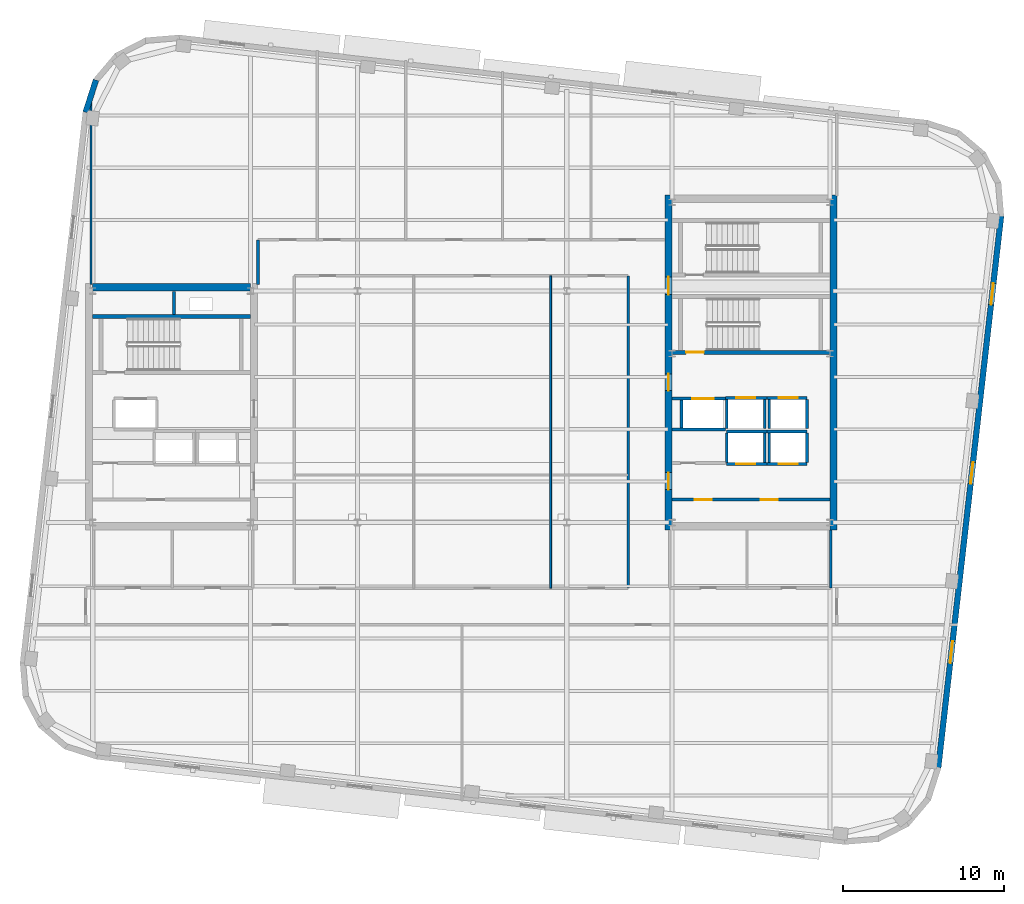
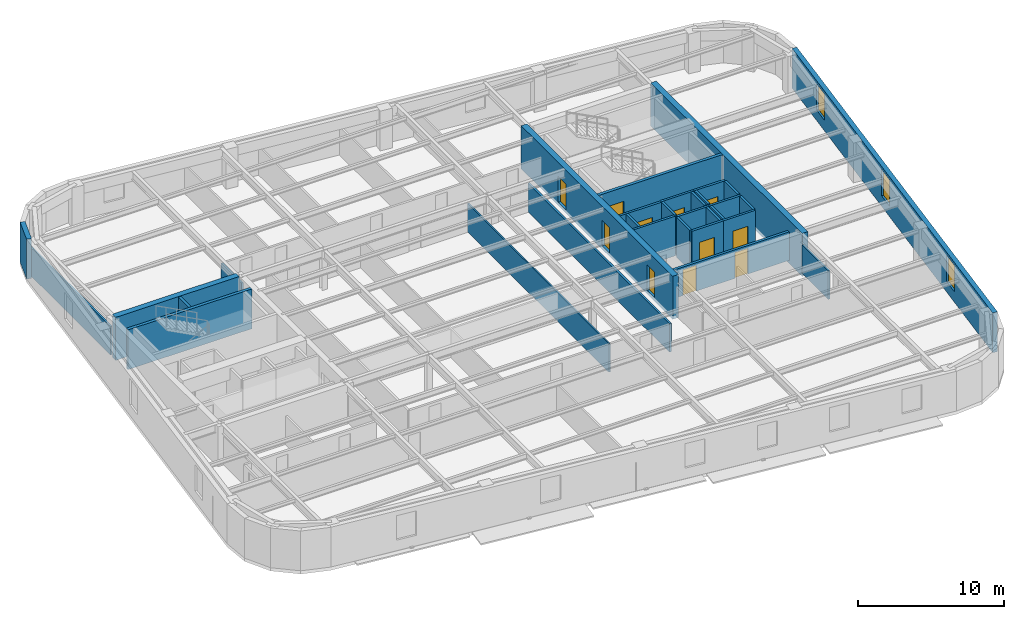
# One storey, part 7 of 13: 31 walls, 11 doors, 3 windows, 14 openings.
"""IFC4 building model written with IfcOpenShell, lengths in metres."""

from ifc_helpers import new_model, si_unit, direction, frame, frame_2d, origin, place, context, subcontext, project, spatial, rectangle, extrude, material, layer, layer_set, type_object, element, fill, save


model = new_model("IFC4")

# Units and contexts
model_context = context("Model", 3, precision=1e-05, world=origin(), true_north=direction((0.0, 1.0)))
body_context = subcontext(model_context, "Body", "Model", "MODEL_VIEW")
ifc_project = project(units=[si_unit("LENGTHUNIT", "METRE"), si_unit("AREAUNIT", "SQUARE_METRE"), si_unit("VOLUMEUNIT", "CUBIC_METRE"), si_unit("PLANEANGLEUNIT", "RADIAN"), si_unit("MASSUNIT", "GRAM", prefix="KILO")], contexts=[model_context])

# Site, building, storey
site_placement = place(None, origin())
site = spatial("IfcSite", under=ifc_project, at=site_placement, CompositionType="ELEMENT")
building_placement = place(site_placement, origin())
building = spatial("IfcBuilding", under=site, at=building_placement, Name="Kolvaren Arena Tower", CompositionType="ELEMENT")
storey_placement = place(building_placement, frame((0.0, 0.0, 265.949951171875)))
storey = spatial("IfcBuildingStorey", under=building, at=storey_placement, Name="L65", CompositionType="ELEMENT", Elevation=265.949951171875)

# Walls
ifc_material_1 = material(Name="Gypsum board acoustic assembly", Category="gypsum")
ifc_layer_1 = layer(ifc_material_1, 0.159912109375)
ifc_layer_set_1 = layer_set([ifc_layer_1], Name="Gypsum board acoustic assembly")
wall_type_1 = type_object("IfcWallType", Name="CORR-160", PredefinedType="PARTITIONING", material=ifc_layer_set_1)
wall_1_placement = place(storey_placement, frame((24.820068359375, 34.25, 0.0), z_axis=(0.0, 0.0, 1.0), x_axis=(0.0, 1.0, 0.0)))
element("IfcWall", 1, at=wall_1_placement, inside=storey, type_object=wall_type_1, Name="Interior Partition Wall (L65)", PredefinedType="PARTITIONING", context=body_context, shape_type="SweptSolid", body=[
    extrude(rectangle(XDim=2.77001953125, YDim=0.159912109375, at=frame_2d((1.385009765625, 0.0))), origin(), (0.0, 0.0, 1.0), 2.39013671875),
])
wall_2_placement = place(storey_placement, frame((47.820068359375, 15.3798828125, 0.0), z_axis=(0.0, 0.0, 1.0), x_axis=(0.0, 1.0, 0.0)))
element("IfcWall", 2, at=wall_2_placement, inside=storey, type_object=wall_type_1, Name="Interior Partition Wall (L65)", PredefinedType="PARTITIONING", context=body_context, shape_type="SweptSolid", body=[
    extrude(rectangle(XDim=19.400146484375, YDim=0.159912109375, at=frame_2d((9.7001953125, 0.0))), origin(), (0.0, 0.0, 1.0), 2.39013671875),
])
ifc_material_2 = material(Name="Concrete 55 MPa", Category="concrete")
ifc_layer_2 = layer(ifc_material_2, 0.449951171875)
ifc_layer_set_2 = layer_set([ifc_layer_2], Name="Concrete 55 MPa")
wall_type_2 = type_object("IfcWallType", Name="CWALL-450", PredefinedType="SHEAR", material=ifc_layer_set_2)
wall_3_placement = place(storey_placement, frame((14.550048828125, 34.074951171875, -0.27001953125), z_axis=(0.0, 0.0, 1.0), x_axis=(1.0, 0.0, 0.0)))
element("IfcWall", 3, at=wall_3_placement, inside=storey, type_object=wall_type_2, Name="Core Shear Wall WC-NORTH (L65)", PredefinedType="SHEAR", context=body_context, shape_type="SweptSolid", body=[
    extrude(rectangle(XDim=9.800048828125, YDim=0.449951171875, at=frame_2d((4.89990234375, 0.0))), origin(), (0.0, 0.0, 1.0), 3.60009765625),
])

# Wall, openings, doors
wall_4_placement = place(storey_placement, frame((50.324951171875, 19.0, -0.27001953125), z_axis=(0.0, 0.0, 1.0), x_axis=(0.0, 1.0, 0.0)))
wall_4 = element("IfcWall", 4, at=wall_4_placement, inside=storey, type_object=wall_type_2, Name="Core Shear Wall EC-WEST (L65)", PredefinedType="SHEAR", context=body_context, shape_type="SweptSolid", body=[
    extrude(rectangle(XDim=20.800048828125, YDim=0.449951171875, at=frame_2d((10.39990234375, 0.0))), origin(), (0.0, 0.0, 1.0), 3.60009765625),
])
opening_1_placement = place(wall_4_placement, frame((2.5, 0.0, 0.27001953125)))
opening_1 = element("IfcOpeningElement", 5, at=opening_1_placement, cuts=wall_4, Name="Opening D04", PredefinedType="OPENING", context=body_context, shape_type="SweptSolid", body=[
    extrude(rectangle(XDim=1.050048828125, YDim=2.14990234375, at=frame_2d((0.52490234375, 1.074951171875))), frame((0.0, 0.23486328125, 0.0), z_axis=(0.0, -1.0, 0.0), x_axis=(1.0, 0.0, 0.0)), (0.0, 0.0, 1.0), 0.469970703125),
])
opening_2_placement = place(wall_4_placement, frame((8.64990234375, 0.0, 0.27001953125)))
opening_2 = element("IfcOpeningElement", 6, at=opening_2_placement, cuts=wall_4, Name="Opening D04", PredefinedType="OPENING", context=body_context, shape_type="SweptSolid", body=[
    extrude(rectangle(XDim=1.050048828125, YDim=2.14990234375, at=frame_2d((0.52490234375, 1.074951171875))), frame((0.0, 0.23486328125, 0.0), z_axis=(0.0, -1.0, 0.0), x_axis=(1.0, 0.0, 0.0)), (0.0, 0.0, 1.0), 0.469970703125),
])
opening_3_placement = place(wall_4_placement, frame((14.6201171875, 0.0, 0.27001953125)))
opening_3 = element("IfcOpeningElement", 7, at=opening_3_placement, cuts=wall_4, Name="Opening D03", PredefinedType="OPENING", context=body_context, shape_type="SweptSolid", body=[
    extrude(rectangle(XDim=1.10009765625, YDim=2.14990234375, at=frame_2d((0.550048828125, 1.074951171875))), frame((0.0, 0.23486328125, 0.0), z_axis=(0.0, -1.0, 0.0), x_axis=(1.0, 0.0, 0.0)), (0.0, 0.0, 1.0), 0.469970703125),
])
ifc_material_3 = material(Name="Fire-rated steel lobby door", Category="steel")
door_type_1 = type_object("IfcDoorType", Name="DOOR-FF-105", OperationType="NOTDEFINED", PredefinedType="DOOR", material=ifc_material_3)
door_1_placement = place(opening_1_placement, origin())
door_1 = element("IfcDoor", 8, at=door_1_placement, inside=storey, type_object=door_type_1, Name="East Lift Lobby Fire Door (L65)", OperationType="SINGLE_SWING_RIGHT", OverallHeight=2.14990234375, OverallWidth=1.050048828125, PredefinedType="DOOR", context=body_context, shape_type="SweptSolid", body=[
    extrude(rectangle(XDim=1.050048828125, YDim=2.14990234375, at=frame_2d((0.52490234375, 1.074951171875))), frame((0.0, 0.02490234375, 0.0), z_axis=(0.0, -1.0, 0.0), x_axis=(1.0, 0.0, 0.0)), (0.0, 0.0, 1.0), 0.050048828125),
])
fill(opening_1, door_1)
door_2_placement = place(opening_2_placement, origin())
door_2 = element("IfcDoor", 9, at=door_2_placement, inside=storey, type_object=door_type_1, Name="East Firefighter Vestibule Door (L65)", OperationType="SINGLE_SWING_LEFT", OverallHeight=2.14990234375, OverallWidth=1.050048828125, PredefinedType="DOOR", context=body_context, shape_type="SweptSolid", body=[
    extrude(rectangle(XDim=1.050048828125, YDim=2.14990234375, at=frame_2d((0.52490234375, 1.074951171875))), frame((0.0, 0.02490234375, 0.0), z_axis=(0.0, -1.0, 0.0), x_axis=(1.0, 0.0, 0.0)), (0.0, 0.0, 1.0), 0.050048828125),
])
fill(opening_2, door_2)
ifc_material_4 = material(Name="Fire-rated steel exit stair door", Category="steel")
door_type_2 = type_object("IfcDoorType", Name="DOOR-ST-110", OperationType="NOTDEFINED", PredefinedType="DOOR", material=ifc_material_4)
door_3_placement = place(opening_3_placement, origin())
door_3 = element("IfcDoor", 10, at=door_3_placement, inside=storey, type_object=door_type_2, Name="Stair ST-E2 Vestibule Fire Door (L65)", OperationType="SINGLE_SWING_LEFT", OverallHeight=2.14990234375, OverallWidth=1.10009765625, PredefinedType="DOOR", context=body_context, shape_type="SweptSolid", body=[
    extrude(rectangle(XDim=1.10009765625, YDim=2.14990234375, at=frame_2d((0.550048828125, 1.074951171875))), frame((0.0, 0.02490234375, 0.0), z_axis=(0.0, -1.0, 0.0), x_axis=(1.0, 0.0, 0.0)), (0.0, 0.0, 1.0), 0.050048828125),
])
fill(opening_3, door_3)

# Wall
wall_5_placement = place(storey_placement, frame((60.574951171875, 19.0, -0.27001953125), z_axis=(0.0, 0.0, 1.0), x_axis=(0.0, 1.0, 0.0)))
element("IfcWall", 11, at=wall_5_placement, inside=storey, type_object=wall_type_2, Name="Core Shear Wall EC-EAST (L65)", PredefinedType="SHEAR", context=body_context, shape_type="SweptSolid", body=[
    extrude(rectangle(XDim=20.800048828125, YDim=0.449951171875, at=frame_2d((10.39990234375, 0.0))), origin(), (0.0, 0.0, 1.0), 3.60009765625),
])

# Wall, openings, windows
ifc_material_5 = material(Name="Precast concrete C50/60", Category="concrete")
ifc_layer_3 = layer(ifc_material_5, 0.360107421875)
ifc_layer_set_3 = layer_set([ifc_layer_3], Name="Precast concrete C50/60")
wall_type_3 = type_object("IfcWallType", Name="EXT-PIER2", PredefinedType="SOLIDWALL", material=ifc_layer_set_3)
wall_6_placement = place(storey_placement, frame((70.98876953125, 38.499267578125, 0.0), z_axis=(0.0, 0.0, 1.0), x_axis=(-0.113203107947, -0.993571867733, 0.0)))
wall_6 = element("IfcWall", 12, at=wall_6_placement, inside=storey, type_object=wall_type_3, Name="Exterior Precast Masonry-Frame Wall (L65)", PredefinedType="SOLIDWALL", context=body_context, shape_type="SweptSolid", body=[
    extrude(rectangle(XDim=34.5, YDim=0.360107421875, at=frame_2d((17.25, 0.0))), origin(), (0.0, 0.0, 1.0), 3.330078125),
])
opening_4_placement = place(wall_6_placement, frame((4.199951171875, 0.0, 0.8798828125)))
opening_4 = element("IfcOpeningElement", 13, at=opening_4_placement, cuts=wall_6, Name="Opening W04", PredefinedType="OPENING", context=body_context, shape_type="SweptSolid", body=[
    extrude(rectangle(XDim=1.35009765625, YDim=2.199951171875, at=frame_2d((0.675048828125, 1.10009765625))), frame((0.0, 0.18994140625, 0.0), z_axis=(0.0, -1.0, 0.0), x_axis=(1.0, 0.0, 0.0)), (0.0, 0.0, 1.0), 0.380126953125),
])
opening_5_placement = place(wall_6_placement, frame((15.39990234375, 0.0, 0.8798828125)))
opening_5 = element("IfcOpeningElement", 14, at=opening_5_placement, cuts=wall_6, Name="Opening W04", PredefinedType="OPENING", context=body_context, shape_type="SweptSolid", body=[
    extrude(rectangle(XDim=1.35009765625, YDim=2.199951171875, at=frame_2d((0.675048828125, 1.10009765625))), frame((0.0, 0.18994140625, 0.0), z_axis=(0.0, -1.0, 0.0), x_axis=(1.0, 0.0, 0.0)), (0.0, 0.0, 1.0), 0.380126953125),
])
opening_6_placement = place(wall_6_placement, frame((26.60009765625, 0.0, 0.8798828125)))
opening_6 = element("IfcOpeningElement", 15, at=opening_6_placement, cuts=wall_6, Name="Opening W04", PredefinedType="OPENING", context=body_context, shape_type="SweptSolid", body=[
    extrude(rectangle(XDim=1.35009765625, YDim=2.199951171875, at=frame_2d((0.675048828125, 1.10009765625))), frame((0.0, 0.18994140625, 0.0), z_axis=(0.0, -1.0, 0.0), x_axis=(1.0, 0.0, 0.0)), (0.0, 0.0, 1.0), 0.380126953125),
])
ifc_material_6 = material(Name="Triple-glazed curved-facet corner window", Category="glass")
window_type = type_object("IfcWindowType", Name="WIN-CRN-A", PartitioningType="SINGLE_PANEL", PredefinedType="WINDOW", material=ifc_material_6)
window_1_placement = place(opening_4_placement, origin())
window_1 = element("IfcWindow", 16, at=window_1_placement, inside=storey, type_object=window_type, Name="End-Wall Punched Window (L65)", OverallHeight=2.199951171875, OverallWidth=1.35009765625, PartitioningType="SINGLE_PANEL", PredefinedType="WINDOW", context=body_context, shape_type="SweptSolid", body=[
    extrude(rectangle(XDim=1.35009765625, YDim=2.199951171875, at=frame_2d((0.675048828125, 1.10009765625))), frame((0.0, 0.030029296875, 0.0), z_axis=(0.0, -1.0, 0.0), x_axis=(1.0, 0.0, 0.0)), (0.0, 0.0, 1.0), 0.06005859375),
])
fill(opening_4, window_1)
window_2_placement = place(opening_5_placement, origin())
window_2 = element("IfcWindow", 17, at=window_2_placement, inside=storey, type_object=window_type, Name="End-Wall Punched Window (L65)", OverallHeight=2.199951171875, OverallWidth=1.35009765625, PartitioningType="SINGLE_PANEL", PredefinedType="WINDOW", context=body_context, shape_type="SweptSolid", body=[
    extrude(rectangle(XDim=1.35009765625, YDim=2.199951171875, at=frame_2d((0.675048828125, 1.10009765625))), frame((0.0, 0.030029296875, 0.0), z_axis=(0.0, -1.0, 0.0), x_axis=(1.0, 0.0, 0.0)), (0.0, 0.0, 1.0), 0.06005859375),
])
fill(opening_5, window_2)
window_3_placement = place(opening_6_placement, origin())
window_3 = element("IfcWindow", 18, at=window_3_placement, inside=storey, type_object=window_type, Name="End-Wall Punched Window (L65)", OverallHeight=2.199951171875, OverallWidth=1.35009765625, PartitioningType="SINGLE_PANEL", PredefinedType="WINDOW", context=body_context, shape_type="SweptSolid", body=[
    extrude(rectangle(XDim=1.35009765625, YDim=2.199951171875, at=frame_2d((0.675048828125, 1.10009765625))), frame((0.0, 0.030029296875, 0.0), z_axis=(0.0, -1.0, 0.0), x_axis=(1.0, 0.0, 0.0)), (0.0, 0.0, 1.0), 0.06005859375),
])
fill(opening_6, window_3)

# Wall
wall_7_placement = place(storey_placement, frame((14.109375, 44.944580078125, 0.0), z_axis=(0.0, 0.0, 1.0), x_axis=(0.304872429864, 0.952393196904, 0.0)))
element("IfcWall", 19, at=wall_7_placement, inside=storey, type_object=wall_type_3, Name="Exterior Precast Masonry-Frame Wall (L65)", PredefinedType="SOLIDWALL", context=body_context, shape_type="SweptSolid", body=[
    extrude(rectangle(XDim=2.10693359375, YDim=0.360107421875, at=frame_2d((1.053466796875, 0.0))), origin(), (0.0, 0.0, 1.0), 3.330078125),
])

# Wall, openings, doors
ifc_material_7 = material(Name="Concrete 40 MPa", Category="concrete")
ifc_layer_4 = layer(ifc_material_7, 0.199951171875)
ifc_layer_set_4 = layer_set([ifc_layer_4], Name="Concrete 40 MPa")
wall_type_4 = type_object("IfcWallType", Name="LOBBY-200", PredefinedType="SOLIDWALL", material=ifc_layer_set_4)
wall_8_placement = place(storey_placement, frame((50.550048828125, 20.8798828125, 0.0), z_axis=(0.0, 0.0, 1.0), x_axis=(1.0, 0.0, 0.0)))
wall_8 = element("IfcWall", 20, at=wall_8_placement, inside=storey, type_object=wall_type_4, Name="Core Shaft Wall (L65)", PredefinedType="SOLIDWALL", context=body_context, shape_type="SweptSolid", body=[
    extrude(rectangle(XDim=9.800048828125, YDim=0.199951171875, at=frame_2d((4.89990234375, 0.0))), origin(), (0.0, 0.0, 1.0), 2.39013671875),
])
opening_7_placement = place(wall_8_placement, frame((1.39990234375, 0.0, 0.0)))
opening_7 = element("IfcOpeningElement", 21, at=opening_7_placement, cuts=wall_8, Name="Opening D04", PredefinedType="OPENING", context=body_context, shape_type="SweptSolid", body=[
    extrude(rectangle(XDim=1.050048828125, YDim=2.14990234375, at=frame_2d((0.52490234375, 1.074951171875))), frame((0.0, 0.10986328125, 0.0), z_axis=(0.0, -1.0, 0.0), x_axis=(1.0, 0.0, 0.0)), (0.0, 0.0, 1.0), 0.219970703125),
])
opening_8_placement = place(wall_8_placement, frame((5.5, 0.0, 0.0)))
opening_8 = element("IfcOpeningElement", 22, at=opening_8_placement, cuts=wall_8, Name="Opening D04", PredefinedType="OPENING", context=body_context, shape_type="SweptSolid", body=[
    extrude(rectangle(XDim=1.050048828125, YDim=2.14990234375, at=frame_2d((0.52490234375, 1.074951171875))), frame((0.0, 0.10986328125, 0.0), z_axis=(0.0, -1.0, 0.0), x_axis=(1.0, 0.0, 0.0)), (0.0, 0.0, 1.0), 0.219970703125),
])
door_4_placement = place(opening_7_placement, origin())
door_4 = element("IfcDoor", 23, at=door_4_placement, inside=storey, type_object=door_type_1, Name="East Telecom Room Fire Door (L65)", OperationType="SINGLE_SWING_RIGHT", OverallHeight=2.14990234375, OverallWidth=1.050048828125, PredefinedType="DOOR", context=body_context, shape_type="SweptSolid", body=[
    extrude(rectangle(XDim=1.050048828125, YDim=2.14990234375, at=frame_2d((0.52490234375, 1.074951171875))), frame((0.0, 0.02490234375, 0.0), z_axis=(0.0, -1.0, 0.0), x_axis=(1.0, 0.0, 0.0)), (0.0, 0.0, 1.0), 0.050048828125),
])
fill(opening_7, door_4)
door_5_placement = place(opening_8_placement, origin())
door_5 = element("IfcDoor", 24, at=door_5_placement, inside=storey, type_object=door_type_1, Name="East Records Room Fire Door (L65)", OperationType="SINGLE_SWING_LEFT", OverallHeight=2.14990234375, OverallWidth=1.050048828125, PredefinedType="DOOR", context=body_context, shape_type="SweptSolid", body=[
    extrude(rectangle(XDim=1.050048828125, YDim=2.14990234375, at=frame_2d((0.52490234375, 1.074951171875))), frame((0.0, 0.02490234375, 0.0), z_axis=(0.0, -1.0, 0.0), x_axis=(1.0, 0.0, 0.0)), (0.0, 0.0, 1.0), 0.050048828125),
])
fill(opening_8, door_5)

# Walls
ifc_material_8 = material(Name="Gypsum board partition assembly", Category="gypsum")
ifc_layer_5 = layer(ifc_material_8, 0.114990234375)
ifc_layer_set_5 = layer_set([ifc_layer_5], Name="Gypsum board partition assembly")
wall_type_5 = type_object("IfcWallType", Name="PART-115", PredefinedType="PARTITIONING", material=ifc_layer_set_5)
wall_9_placement = place(storey_placement, frame((43.0, 15.3798828125, 0.0), z_axis=(0.0, 0.0, 1.0), x_axis=(0.0, 1.0, 0.0)))
element("IfcWall", 25, at=wall_9_placement, inside=storey, type_object=wall_type_5, Name="Interior Partition Wall (L65)", PredefinedType="PARTITIONING", context=body_context, shape_type="SweptSolid", body=[
    extrude(rectangle(XDim=19.400146484375, YDim=0.114990234375, at=frame_2d((9.7001953125, 0.0))), origin(), (0.0, 0.0, 1.0), 2.39013671875),
])
ifc_layer_6 = layer(ifc_material_8, 0.135009765625)
ifc_layer_set_6 = layer_set([ifc_layer_6], Name="Gypsum board partition assembly")
wall_type_6 = type_object("IfcWallType", Name="PART-135", PredefinedType="PARTITIONING", material=ifc_layer_set_6)
wall_10_placement = place(storey_placement, frame((14.449951171875, 34.25, 0.0), z_axis=(0.0, 0.0, 1.0), x_axis=(0.0, 1.0, 0.0)))
element("IfcWall", 26, at=wall_10_placement, inside=storey, type_object=wall_type_6, Name="Interior Partition Wall (L65)", PredefinedType="PARTITIONING", context=body_context, shape_type="SweptSolid", body=[
    extrude(rectangle(XDim=11.56201171875, YDim=0.135009765625, at=frame_2d((5.781005859375, 0.0))), origin(), (0.0, 0.0, 1.0), 2.39013671875),
])
ifc_material_9 = material(Name="Concrete 45 MPa", Category="concrete")
ifc_layer_7 = layer(ifc_material_9, 0.25)
ifc_layer_set_7 = layer_set([ifc_layer_7], Name="Concrete 45 MPa")
wall_type_7 = type_object("IfcWallType", Name="SHAFT-250", PredefinedType="SOLIDWALL", material=ifc_layer_set_7)
wall_11_placement = place(storey_placement, frame((14.550048828125, 32.25, 0.0), z_axis=(0.0, 0.0, 1.0), x_axis=(1.0, 0.0, 0.0)))
element("IfcWall", 27, at=wall_11_placement, inside=storey, type_object=wall_type_7, Name="Core Shaft Wall (L65)", PredefinedType="SOLIDWALL", context=body_context, shape_type="SweptSolid", body=[
    extrude(rectangle(XDim=9.800048828125, YDim=0.239990234375, at=frame_2d((4.89990234375, 0.0))), origin(), (0.0, 0.0, 1.0), 3.330078125),
])

# Wall, opening, door
wall_12_placement = place(storey_placement, frame((60.35009765625, 30.030029296875, 0.0), z_axis=(0.0, 0.0, 1.0), x_axis=(-1.0, 0.0, 0.0)))
wall_12 = element("IfcWall", 28, at=wall_12_placement, inside=storey, type_object=wall_type_7, Name="Core Shaft Wall (L65)", PredefinedType="SOLIDWALL", context=body_context, shape_type="SweptSolid", body=[
    extrude(rectangle(XDim=9.800048828125, YDim=0.239990234375, at=frame_2d((4.89990234375, 0.0))), origin(), (0.0, 0.0, 1.0), 3.330078125),
])
opening_9_placement = place(wall_12_placement, frame((7.830078125, 0.0, 0.0)))
opening_9 = element("IfcOpeningElement", 29, at=opening_9_placement, cuts=wall_12, Name="Opening D03", PredefinedType="OPENING", context=body_context, shape_type="SweptSolid", body=[
    extrude(rectangle(XDim=1.10009765625, YDim=2.14990234375, at=frame_2d((0.550048828125, 1.074951171875))), frame((0.0, 0.1298828125, 0.0), z_axis=(0.0, -1.0, 0.0), x_axis=(1.0, 0.0, 0.0)), (0.0, 0.0, 1.0), 0.260009765625),
])
door_6_placement = place(opening_9_placement, origin())
door_6 = element("IfcDoor", 30, at=door_6_placement, inside=storey, type_object=door_type_2, Name="Stair ST-E1 Fire Door (L65)", OperationType="SINGLE_SWING_LEFT", OverallHeight=2.14990234375, OverallWidth=1.10009765625, PredefinedType="DOOR", context=body_context, shape_type="SweptSolid", body=[
    extrude(rectangle(XDim=1.10009765625, YDim=2.14990234375, at=frame_2d((0.550048828125, 1.074951171875))), frame((0.0, 0.02490234375, 0.0), z_axis=(0.0, -1.0, 0.0), x_axis=(1.0, 0.0, 0.0)), (0.0, 0.0, 1.0), 0.050048828125),
])
fill(opening_9, door_6)

# Walls
wall_13_placement = place(storey_placement, frame((19.60009765625, 32.3701171875, 0.0), z_axis=(0.0, 0.0, 1.0), x_axis=(0.0, 1.0, 0.0)))
element("IfcWall", 31, at=wall_13_placement, inside=storey, type_object=wall_type_7, Name="Core Shaft Wall (L65)", PredefinedType="SOLIDWALL", context=body_context, shape_type="SweptSolid", body=[
    extrude(rectangle(XDim=1.429931640625, YDim=0.199951171875, at=frame_2d((0.71484375, 0.0))), origin(), (0.0, 0.0, 1.0), 3.330078125),
])
wall_14_placement = place(storey_placement, frame((53.93994140625, 25.10498046875, 0.0), z_axis=(0.0, 0.0, 1.0), x_axis=(1.0, 0.0, 0.0)))
element("IfcWall", 32, at=wall_14_placement, inside=storey, type_object=wall_type_7, Name="Core Shaft Wall (L65)", PredefinedType="SOLIDWALL", context=body_context, shape_type="SweptSolid", body=[
    extrude(rectangle(XDim=2.5, YDim=0.179931640625, at=frame_2d((1.25, 0.0))), origin(), (0.0, 0.0, 1.0), 3.330078125),
])

# Wall, opening, door
wall_15_placement = place(storey_placement, frame((53.93994140625, 23.094970703125, 0.0), z_axis=(0.0, 0.0, 1.0), x_axis=(1.0, 0.0, 0.0)))
wall_15 = element("IfcWall", 33, at=wall_15_placement, inside=storey, type_object=wall_type_7, Name="Core Shaft Wall (L65)", PredefinedType="SOLIDWALL", context=body_context, shape_type="SweptSolid", body=[
    extrude(rectangle(XDim=2.5, YDim=0.179931640625, at=frame_2d((1.25, 0.0))), origin(), (0.0, 0.0, 1.0), 3.330078125),
])
opening_10_placement = place(wall_15_placement, frame((0.580078125, 0.0, 0.0)))
opening_10 = element("IfcOpeningElement", 34, at=opening_10_placement, cuts=wall_15, Name="Opening LD1", PredefinedType="OPENING", context=body_context, shape_type="SweptSolid", body=[
    extrude(rectangle(XDim=1.199951171875, YDim=2.199951171875, at=frame_2d((0.60009765625, 1.10009765625))), frame((0.0, 0.099853515625, 0.0), z_axis=(0.0, -1.0, 0.0), x_axis=(1.0, 0.0, 0.0)), (0.0, 0.0, 1.0), 0.199951171875),
])
ifc_material_10 = material(Name="Stainless steel passenger lift landing door", Category="steel")
door_type_3 = type_object("IfcDoorType", Name="DOOR-LD-120", OperationType="DOUBLE_DOOR_SLIDING", PredefinedType="DOOR", material=ifc_material_10)
door_7_placement = place(opening_10_placement, origin())
door_7 = element("IfcDoor", 35, at=door_7_placement, inside=storey, type_object=door_type_3, Name="Lift EL-HR1 Landing Door (L65)", OperationType="DOUBLE_DOOR_SLIDING", OverallHeight=2.199951171875, OverallWidth=1.199951171875, PredefinedType="DOOR", context=body_context, shape_type="SweptSolid", body=[
    extrude(rectangle(XDim=1.199951171875, YDim=2.199951171875, at=frame_2d((0.60009765625, 1.10009765625))), frame((0.0, 0.02490234375, 0.0), z_axis=(0.0, -1.0, 0.0), x_axis=(1.0, 0.0, 0.0)), (0.0, 0.0, 1.0), 0.050048828125),
])
fill(opening_10, door_7)

# Walls
for number, where, z_axis, x_axis, name in (
    (36, (53.93994140625, 23.18505859375, 0.0), (0.0, 0.0, 1.0), (0.0, 1.0, 0.0), "Core Shaft Wall (L65)"),
    (37, (56.300048828125, 23.18505859375, 0.0), (0.0, 0.0, 1.0), (0.0, 1.0, 0.0), "Core Shaft Wall (L65)"),
):
    element("IfcWall", number, at=place(storey_placement, frame(where, z_axis=z_axis, x_axis=x_axis)), inside=storey, type_object=wall_type_7, Name=name, PredefinedType="SOLIDWALL", context=body_context, shape_type="SweptSolid", body=[
        extrude(rectangle(XDim=1.829833984375, YDim=0.179931640625, at=frame_2d((0.9150390625, 0.0))), origin(), (0.0, 0.0, 1.0), 3.330078125),
    ])
wall_16_placement = place(storey_placement, frame((56.43994140625, 25.10498046875, 0.0), z_axis=(0.0, 0.0, 1.0), x_axis=(1.0, 0.0, 0.0)))
element("IfcWall", 38, at=wall_16_placement, inside=storey, type_object=wall_type_7, Name="Core Shaft Wall (L65)", PredefinedType="SOLIDWALL", context=body_context, shape_type="SweptSolid", body=[
    extrude(rectangle(XDim=2.5, YDim=0.179931640625, at=frame_2d((1.25, 0.0))), origin(), (0.0, 0.0, 1.0), 3.330078125),
])

# Wall, opening, door
wall_17_placement = place(storey_placement, frame((56.43994140625, 23.094970703125, 0.0), z_axis=(0.0, 0.0, 1.0), x_axis=(1.0, 0.0, 0.0)))
wall_17 = element("IfcWall", 39, at=wall_17_placement, inside=storey, type_object=wall_type_7, Name="Core Shaft Wall (L65)", PredefinedType="SOLIDWALL", context=body_context, shape_type="SweptSolid", body=[
    extrude(rectangle(XDim=2.5, YDim=0.179931640625, at=frame_2d((1.25, 0.0))), origin(), (0.0, 0.0, 1.0), 3.330078125),
])
opening_11_placement = place(wall_17_placement, frame((0.719970703125, 0.0, 0.0)))
opening_11 = element("IfcOpeningElement", 40, at=opening_11_placement, cuts=wall_17, Name="Opening LD1", PredefinedType="OPENING", context=body_context, shape_type="SweptSolid", body=[
    extrude(rectangle(XDim=1.199951171875, YDim=2.199951171875, at=frame_2d((0.60009765625, 1.10009765625))), frame((0.0, 0.099853515625, 0.0), z_axis=(0.0, -1.0, 0.0), x_axis=(1.0, 0.0, 0.0)), (0.0, 0.0, 1.0), 0.199951171875),
])
door_8_placement = place(opening_11_placement, origin())
door_8 = element("IfcDoor", 41, at=door_8_placement, inside=storey, type_object=door_type_3, Name="Lift EL-HR2 Landing Door (L65)", OperationType="DOUBLE_DOOR_SLIDING", OverallHeight=2.199951171875, OverallWidth=1.199951171875, PredefinedType="DOOR", context=body_context, shape_type="SweptSolid", body=[
    extrude(rectangle(XDim=1.199951171875, YDim=2.199951171875, at=frame_2d((0.60009765625, 1.10009765625))), frame((0.0, 0.02490234375, 0.0), z_axis=(0.0, -1.0, 0.0), x_axis=(1.0, 0.0, 0.0)), (0.0, 0.0, 1.0), 0.050048828125),
])
fill(opening_11, door_8)

# Walls
for number, where, z_axis, x_axis, name in (
    (42, (56.580078125, 23.18505859375, 0.0), (0.0, 0.0, 1.0), (0.0, 1.0, 0.0), "Core Shaft Wall (L65)"),
    (43, (58.93994140625, 23.18505859375, 0.0), (0.0, 0.0, 1.0), (0.0, 1.0, 0.0), "Core Shaft Wall (L65)"),
):
    element("IfcWall", number, at=place(storey_placement, frame(where, z_axis=z_axis, x_axis=x_axis)), inside=storey, type_object=wall_type_7, Name=name, PredefinedType="SOLIDWALL", context=body_context, shape_type="SweptSolid", body=[
        extrude(rectangle(XDim=1.829833984375, YDim=0.179931640625, at=frame_2d((0.9150390625, 0.0))), origin(), (0.0, 0.0, 1.0), 3.330078125),
    ])

# Wall, opening, door
wall_18_placement = place(storey_placement, frame((53.864990234375, 27.205078125, 0.0), z_axis=(0.0, 0.0, 1.0), x_axis=(1.0, 0.0, 0.0)))
wall_18 = element("IfcWall", 44, at=wall_18_placement, inside=storey, type_object=wall_type_7, Name="Core Shaft Wall (L65)", PredefinedType="SOLIDWALL", context=body_context, shape_type="SweptSolid", body=[
    extrude(rectangle(XDim=2.574951171875, YDim=0.179931640625, at=frame_2d((1.28759765625, 0.0))), origin(), (0.0, 0.0, 1.0), 3.330078125),
])
opening_12_placement = place(wall_18_placement, frame((0.655029296875, 0.0, 0.0)))
opening_12 = element("IfcOpeningElement", 45, at=opening_12_placement, cuts=wall_18, Name="Opening LD1", PredefinedType="OPENING", context=body_context, shape_type="SweptSolid", body=[
    extrude(rectangle(XDim=1.199951171875, YDim=2.199951171875, at=frame_2d((0.60009765625, 1.10009765625))), frame((0.0, 0.099853515625, 0.0), z_axis=(0.0, -1.0, 0.0), x_axis=(1.0, 0.0, 0.0)), (0.0, 0.0, 1.0), 0.199951171875),
])
door_9_placement = place(opening_12_placement, origin())
door_9 = element("IfcDoor", 46, at=door_9_placement, inside=storey, type_object=door_type_3, Name="Lift EL-HR3 Landing Door (L65)", OperationType="DOUBLE_DOOR_SLIDING", OverallHeight=2.199951171875, OverallWidth=1.199951171875, PredefinedType="DOOR", context=body_context, shape_type="SweptSolid", body=[
    extrude(rectangle(XDim=1.199951171875, YDim=2.199951171875, at=frame_2d((0.60009765625, 1.10009765625))), frame((0.0, 0.02490234375, 0.0), z_axis=(0.0, -1.0, 0.0), x_axis=(1.0, 0.0, 0.0)), (0.0, 0.0, 1.0), 0.050048828125),
])
fill(opening_12, door_9)

# Walls
for number, where, z_axis, x_axis, name in (
    (47, (53.93994140625, 25.284912109375, 0.0), (0.0, 0.0, 1.0), (0.0, 1.0, 0.0), "Core Shaft Wall (L65)"),
    (48, (56.300048828125, 25.284912109375, 0.0), (0.0, 0.0, 1.0), (0.0, 1.0, 0.0), "Core Shaft Wall (L65)"),
):
    element("IfcWall", number, at=place(storey_placement, frame(where, z_axis=z_axis, x_axis=x_axis)), inside=storey, type_object=wall_type_7, Name=name, PredefinedType="SOLIDWALL", context=body_context, shape_type="SweptSolid", body=[
        extrude(rectangle(XDim=1.830078125, YDim=0.179931640625, at=frame_2d((0.9150390625, 0.0))), origin(), (0.0, 0.0, 1.0), 3.330078125),
    ])

# Wall, opening, door
wall_19_placement = place(storey_placement, frame((56.43994140625, 27.205078125, 0.0), z_axis=(0.0, 0.0, 1.0), x_axis=(1.0, 0.0, 0.0)))
wall_19 = element("IfcWall", 49, at=wall_19_placement, inside=storey, type_object=wall_type_7, Name="Core Shaft Wall (L65)", PredefinedType="SOLIDWALL", context=body_context, shape_type="SweptSolid", body=[
    extrude(rectangle(XDim=2.5, YDim=0.179931640625, at=frame_2d((1.25, 0.0))), origin(), (0.0, 0.0, 1.0), 3.330078125),
])
opening_13_placement = place(wall_19_placement, frame((0.719970703125, 0.0, 0.0)))
opening_13 = element("IfcOpeningElement", 50, at=opening_13_placement, cuts=wall_19, Name="Opening LD1", PredefinedType="OPENING", context=body_context, shape_type="SweptSolid", body=[
    extrude(rectangle(XDim=1.199951171875, YDim=2.199951171875, at=frame_2d((0.60009765625, 1.10009765625))), frame((0.0, 0.099853515625, 0.0), z_axis=(0.0, -1.0, 0.0), x_axis=(1.0, 0.0, 0.0)), (0.0, 0.0, 1.0), 0.199951171875),
])
door_10_placement = place(opening_13_placement, origin())
door_10 = element("IfcDoor", 51, at=door_10_placement, inside=storey, type_object=door_type_3, Name="Lift EL-HR4 Landing Door (L65)", OperationType="DOUBLE_DOOR_SLIDING", OverallHeight=2.199951171875, OverallWidth=1.199951171875, PredefinedType="DOOR", context=body_context, shape_type="SweptSolid", body=[
    extrude(rectangle(XDim=1.199951171875, YDim=2.199951171875, at=frame_2d((0.60009765625, 1.10009765625))), frame((0.0, 0.02490234375, 0.0), z_axis=(0.0, -1.0, 0.0), x_axis=(1.0, 0.0, 0.0)), (0.0, 0.0, 1.0), 0.050048828125),
])
fill(opening_13, door_10)

# Walls
for number, where, z_axis, x_axis, name in (
    (52, (56.580078125, 25.284912109375, 0.0), (0.0, 0.0, 1.0), (0.0, 1.0, 0.0), "Core Shaft Wall (L65)"),
    (53, (58.93994140625, 25.284912109375, 0.0), (0.0, 0.0, 1.0), (0.0, 1.0, 0.0), "Core Shaft Wall (L65)"),
):
    element("IfcWall", number, at=place(storey_placement, frame(where, z_axis=z_axis, x_axis=x_axis)), inside=storey, type_object=wall_type_7, Name=name, PredefinedType="SOLIDWALL", context=body_context, shape_type="SweptSolid", body=[
        extrude(rectangle(XDim=1.830078125, YDim=0.179931640625, at=frame_2d((0.9150390625, 0.0))), origin(), (0.0, 0.0, 1.0), 3.330078125),
    ])

# Wall, opening, door
wall_20_placement = place(storey_placement, frame((50.550048828125, 27.155029296875, 0.0), z_axis=(0.0, 0.0, 1.0), x_axis=(1.0, 0.0, 0.0)))
wall_20 = element("IfcWall", 54, at=wall_20_placement, inside=storey, type_object=wall_type_7, Name="Core Shaft Wall (L65)", PredefinedType="SOLIDWALL", context=body_context, shape_type="SweptSolid", body=[
    extrude(rectangle(XDim=3.31494140625, YDim=0.179931640625, at=frame_2d((1.657470703125, 0.0))), origin(), (0.0, 0.0, 1.0), 3.330078125),
])
opening_14_placement = place(wall_20_placement, frame((1.235107421875, 0.0, 0.0)))
opening_14 = element("IfcOpeningElement", 55, at=opening_14_placement, cuts=wall_20, Name="Opening LD2", PredefinedType="OPENING", context=body_context, shape_type="SweptSolid", body=[
    extrude(rectangle(XDim=1.35009765625, YDim=2.300048828125, at=frame_2d((0.675048828125, 1.14990234375))), frame((0.0, 0.099853515625, 0.0), z_axis=(0.0, -1.0, 0.0), x_axis=(1.0, 0.0, 0.0)), (0.0, 0.0, 1.0), 0.199951171875),
])
ifc_material_11 = material(Name="Stainless steel firefighter lift landing door", Category="steel")
door_type_4 = type_object("IfcDoorType", Name="DOOR-LD-135", OperationType="DOUBLE_DOOR_SLIDING", PredefinedType="DOOR", material=ifc_material_11)
door_11_placement = place(opening_14_placement, origin())
door_11 = element("IfcDoor", 56, at=door_11_placement, inside=storey, type_object=door_type_4, Name="Firefighter Lift FF-E1 Landing Door (L65)", OperationType="DOUBLE_DOOR_SLIDING", OverallHeight=2.300048828125, OverallWidth=1.35009765625, PredefinedType="DOOR", context=body_context, shape_type="SweptSolid", body=[
    extrude(rectangle(XDim=1.35009765625, YDim=2.300048828125, at=frame_2d((0.675048828125, 1.14990234375))), frame((0.0, 0.02490234375, 0.0), z_axis=(0.0, -1.0, 0.0), x_axis=(1.0, 0.0, 0.0)), (0.0, 0.0, 1.0), 0.050048828125),
])
fill(opening_14, door_11)

# Walls
wall_21_placement = place(storey_placement, frame((50.550048828125, 25.2451171875, 0.0), z_axis=(0.0, 0.0, 1.0), x_axis=(1.0, 0.0, 0.0)))
element("IfcWall", 57, at=wall_21_placement, inside=storey, type_object=wall_type_7, Name="Core Shaft Wall (L65)", PredefinedType="SOLIDWALL", context=body_context, shape_type="SweptSolid", body=[
    extrude(rectangle(XDim=3.31494140625, YDim=0.179931640625, at=frame_2d((1.657470703125, 0.0))), origin(), (0.0, 0.0, 1.0), 3.330078125),
])
wall_22_placement = place(storey_placement, frame((51.1298828125, 25.3349609375, 0.0), z_axis=(0.0, 0.0, 1.0), x_axis=(0.0, 1.0, 0.0)))
element("IfcWall", 58, at=wall_22_placement, inside=storey, type_object=wall_type_7, Name="Core Shaft Wall (L65)", PredefinedType="SOLIDWALL", context=body_context, shape_type="SweptSolid", body=[
    extrude(rectangle(XDim=1.72998046875, YDim=0.179931640625, at=frame_2d((0.864990234375, 0.0))), origin(), (0.0, 0.0, 1.0), 3.330078125),
])
ifc_material_12 = material(Name="Moisture-resistant gypsum assembly", Category="gypsum")
ifc_layer_8 = layer(ifc_material_12, 0.14990234375)
ifc_layer_set_8 = layer_set([ifc_layer_8], Name="Moisture-resistant gypsum assembly")
wall_type_8 = type_object("IfcWallType", Name="WETW-150", PredefinedType="PARTITIONING", material=ifc_layer_set_8)
wall_23_placement = place(storey_placement, frame((60.39990234375, 15.39990234375, 0.0), z_axis=(0.0, 0.0, 1.0), x_axis=(0.0, 1.0, 0.0)))
element("IfcWall", 59, at=wall_23_placement, inside=storey, type_object=wall_type_8, Name="Interior Partition Wall (L65)", PredefinedType="PARTITIONING", context=body_context, shape_type="SweptSolid", body=[
    extrude(rectangle(XDim=3.580078125, YDim=0.14990234375, at=frame_2d((1.7900390625, 0.0))), origin(), (0.0, 0.0, 1.0), 2.39013671875),
])

save(model, "model.ifc")
